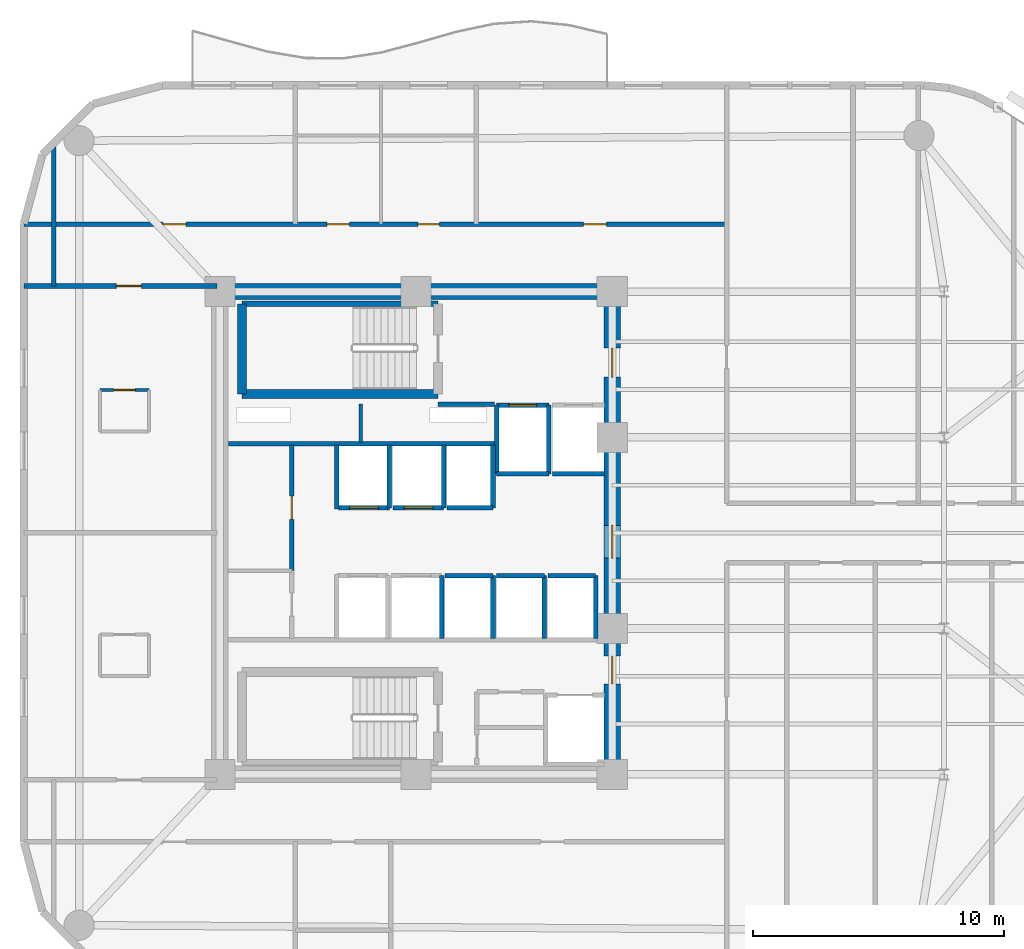
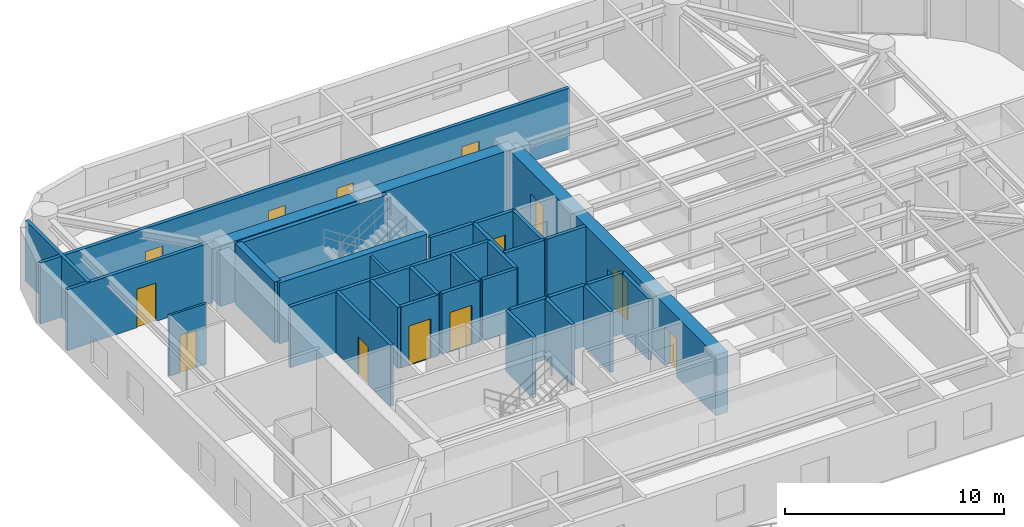
# One storey, part 9 of 13: 32 walls, 13 doors, 13 openings.
"""IFC4 building model written with IfcOpenShell, lengths in metres."""

from ifc_helpers import new_model, si_unit, direction, frame, frame_2d, origin, place, context, subcontext, project, spatial, rectangle, extrude, material, layer, layer_set, type_object, element, fill, save


model = new_model("IFC4")

# Units and contexts
model_context = context("Model", 3, precision=1e-05, world=origin(), true_north=direction((0.0, 1.0)))
body_context = subcontext(model_context, "Body", "Model", "MODEL_VIEW")
ifc_project = project(units=[si_unit("LENGTHUNIT", "METRE"), si_unit("AREAUNIT", "SQUARE_METRE"), si_unit("VOLUMEUNIT", "CUBIC_METRE"), si_unit("PLANEANGLEUNIT", "RADIAN"), si_unit("MASSUNIT", "GRAM", prefix="KILO")], contexts=[model_context])

# Site, building, storey
site_placement = place(None, origin())
site = spatial("IfcSite", under=ifc_project, at=site_placement, CompositionType="ELEMENT")
building_placement = place(site_placement, origin())
building = spatial("IfcBuilding", under=site, at=building_placement, Name="An Khanh Terracotta Commons", CompositionType="ELEMENT")
storey_placement = place(building_placement, frame((0.0, 0.0, 183.39990234375)))
storey = spatial("IfcBuildingStorey", under=building, at=storey_placement, Name="L48", CompositionType="ELEMENT", Elevation=183.39990234375)

# Wall
ifc_material_1 = material(Name="Concrete C60/75", Category="concrete")
ifc_layer_1 = layer(ifc_material_1, 0.64990234375, Name="Concrete C60/75")
ifc_layer_set_1 = layer_set([ifc_layer_1], Name="Concrete C60/75")
wall_type_1 = type_object("IfcWallType", Name="WALL-CORE-650", PredefinedType="SHEAR", material=ifc_layer_set_1)
wall_1_placement = place(storey_placement, frame((21.60009765625, 33.60009765625, 0.0), z_axis=(0.0, 0.0, 1.0), x_axis=(1.0, 0.0, 0.0)))
element("IfcWall", 1, at=wall_1_placement, inside=storey, type_object=wall_type_1, Name="L48 Core Wall CWALL-L48-N", PredefinedType="SHEAR", context=body_context, shape_type="SweptSolid", body=[
    extrude(rectangle(XDim=15.599853515625, YDim=0.64990234375, at=frame_2d((7.7998046875, 0.0))), origin(), (0.0, 0.0, 1.0), 3.400146484375),
])

# Wall, openings, doors
wall_2_placement = place(storey_placement, frame((37.199951171875, 14.39990234375, 0.0), z_axis=(0.0, 0.0, 1.0), x_axis=(0.0, 1.0, 0.0)))
wall_2 = element("IfcWall", 2, at=wall_2_placement, inside=storey, type_object=wall_type_1, Name="L48 Core Wall CWALL-L48-E", PredefinedType="SHEAR", context=body_context, shape_type="SweptSolid", body=[
    extrude(rectangle(XDim=19.2001953125, YDim=0.64990234375, at=frame_2d((9.60009765625, 0.0))), origin(), (0.0, 0.0, 1.0), 3.400146484375),
])
opening_1_placement = place(wall_2_placement, frame((15.800048828125, 0.0, 0.0)))
opening_1 = element("IfcOpeningElement", 3, at=opening_1_placement, cuts=wall_2, Name="Opening D-FFL", PredefinedType="OPENING", context=body_context, shape_type="SweptSolid", body=[
    extrude(rectangle(XDim=1.14990234375, YDim=2.14990234375, at=frame_2d((0.574951171875, 1.074951171875))), frame((0.0, 0.3349609375, 0.0), z_axis=(0.0, -1.0, 0.0), x_axis=(1.0, 0.0, 0.0)), (0.0, 0.0, 1.0), 0.669921875),
])
opening_2_placement = place(wall_2_placement, frame((3.60009765625, 0.0, 0.0)))
opening_2 = element("IfcOpeningElement", 4, at=opening_2_placement, cuts=wall_2, Name="Opening D-ST", PredefinedType="OPENING", context=body_context, shape_type="SweptSolid", body=[
    extrude(rectangle(XDim=1.10009765625, YDim=2.14990234375, at=frame_2d((0.550048828125, 1.074951171875))), frame((0.0, 0.3349609375, 0.0), z_axis=(0.0, -1.0, 0.0), x_axis=(1.0, 0.0, 0.0)), (0.0, 0.0, 1.0), 0.669921875),
])
opening_3_placement = place(wall_2_placement, frame((8.60009765625, 0.0, 0.0)))
opening_3 = element("IfcOpeningElement", 5, at=opening_3_placement, cuts=wall_2, Name="Opening D-COR", PredefinedType="OPENING", context=body_context, shape_type="SweptSolid", body=[
    extrude(rectangle(XDim=1.300048828125, YDim=2.199951171875, at=frame_2d((0.64990234375, 1.10009765625))), frame((0.0, 0.3349609375, 0.0), z_axis=(0.0, -1.0, 0.0), x_axis=(1.0, 0.0, 0.0)), (0.0, 0.0, 1.0), 0.669921875),
])
ifc_material_2 = material(Name="Fire-Rated Glazed Steel Double Door", Category="steel")
door_type_1 = type_object("IfcDoorType", Name="DOOR-CORR-1300", OperationType="NOTDEFINED", PredefinedType="DOOR", material=ifc_material_2)
door_1_placement = place(opening_3_placement, origin())
door_1 = element("IfcDoor", 6, at=door_1_placement, inside=storey, type_object=door_type_1, Name="L48 Passenger Lift Lobby Double Door", OperationType="DOUBLE_DOOR_SINGLE_SWING", OverallHeight=2.199951171875, OverallWidth=1.300048828125, PredefinedType="DOOR", context=body_context, shape_type="SweptSolid", body=[
    extrude(rectangle(XDim=1.300048828125, YDim=2.199951171875, at=frame_2d((0.64990234375, 1.10009765625))), frame((0.0, 0.02490234375, 0.0), z_axis=(0.0, -1.0, 0.0), x_axis=(1.0, 0.0, 0.0)), (0.0, 0.0, 1.0), 0.050048828125),
])
fill(opening_3, door_1)
ifc_material_3 = material(Name="Fire-Rated Steel Leaf and Vision Panel", Category="steel")
door_type_2 = type_object("IfcDoorType", Name="DOOR-FFL-1150", OperationType="NOTDEFINED", PredefinedType="DOOR", material=ifc_material_3)
door_2_placement = place(opening_1_placement, origin())
door_2 = element("IfcDoor", 7, at=door_2_placement, inside=storey, type_object=door_type_2, Name="L48 Firefighting Lift Lobby Fire Door", OperationType="SINGLE_SWING_LEFT", OverallHeight=2.14990234375, OverallWidth=1.14990234375, PredefinedType="DOOR", context=body_context, shape_type="SweptSolid", body=[
    extrude(rectangle(XDim=1.14990234375, YDim=2.14990234375, at=frame_2d((0.574951171875, 1.074951171875))), frame((0.0, 0.02490234375, 0.0), z_axis=(0.0, -1.0, 0.0), x_axis=(1.0, 0.0, 0.0)), (0.0, 0.0, 1.0), 0.050048828125),
])
fill(opening_1, door_2)
ifc_material_4 = material(Name="Fire-Rated Steel Leaf and Frame", Category="steel")
door_type_3 = type_object("IfcDoorType", Name="DOOR-STAIR-1100", OperationType="NOTDEFINED", PredefinedType="DOOR", material=ifc_material_4)
door_3_placement = place(opening_2_placement, origin())
door_3 = element("IfcDoor", 8, at=door_3_placement, inside=storey, type_object=door_type_3, Name="L48 South Stair Lobby Fire Door", OperationType="SINGLE_SWING_RIGHT", OverallHeight=2.14990234375, OverallWidth=1.10009765625, PredefinedType="DOOR", context=body_context, shape_type="SweptSolid", body=[
    extrude(rectangle(XDim=1.10009765625, YDim=2.14990234375, at=frame_2d((0.550048828125, 1.074951171875))), frame((0.0, 0.02490234375, 0.0), z_axis=(0.0, -1.0, 0.0), x_axis=(1.0, 0.0, 0.0)), (0.0, 0.0, 1.0), 0.050048828125),
])
fill(opening_2, door_3)

# Walls
ifc_material_5 = material(Name="Fire-Rated Gypsum Board on Steel Stud", Category="steel")
ifc_layer_2 = layer(ifc_material_5, 0.179931640625, Name="Fire-Rated Gypsum Board on Steel Stud")
ifc_layer_set_2 = layer_set([ifc_layer_2], Name="Fire-Rated Gypsum Board on Steel Stud")
wall_type_2 = type_object("IfcWallType", Name="WALL-CORR-180", PredefinedType="PARTITIONING", material=ifc_layer_set_2)
wall_3_placement = place(storey_placement, frame((30.27001953125, 29.1201171875, 0.0), z_axis=(0.0, 0.0, 1.0), x_axis=(1.0, 0.0, 0.0)))
element("IfcWall", 9, at=wall_3_placement, inside=storey, type_object=wall_type_2, Name="L48 Core Wall FFLW-L48-S", PredefinedType="PARTITIONING", context=body_context, shape_type="SweptSolid", body=[
    extrude(rectangle(XDim=2.239990234375, YDim=0.179931640625, at=frame_2d((1.1201171875, 0.0))), origin(), (0.0, 0.0, 1.0), 3.400146484375),
])
wall_4_placement = place(storey_placement, frame((21.949951171875, 27.5400390625, 0.0), z_axis=(0.0, 0.0, 1.0), x_axis=(1.0, 0.0, 0.0)))
element("IfcWall", 10, at=wall_4_placement, inside=storey, type_object=wall_type_2, Name="L48 Core Wall RSRW-L48-S", PredefinedType="PARTITIONING", context=body_context, shape_type="SweptSolid", body=[
    extrude(rectangle(XDim=10.56005859375, YDim=0.179931640625, at=frame_2d((5.280029296875, 0.0))), origin(), (0.0, 0.0, 1.0), 3.400146484375),
])

# Wall, opening, door
wall_5_placement = place(storey_placement, frame((32.60009765625, 29.080078125, 0.0), z_axis=(0.0, 0.0, 1.0), x_axis=(1.0, 0.0, 0.0)))
wall_5 = element("IfcWall", 11, at=wall_5_placement, inside=storey, type_object=wall_type_2, Name="L48 Core Wall LSH-L48-FFL-01-N", PredefinedType="PARTITIONING", context=body_context, shape_type="SweptSolid", body=[
    extrude(rectangle(XDim=2.079833984375, YDim=0.179931640625, at=frame_2d((1.0400390625, 0.0))), origin(), (0.0, 0.0, 1.0), 3.400146484375),
])
opening_4_placement = place(wall_5_placement, frame((0.489990234375, 0.0, 0.0)))
opening_4 = element("IfcOpeningElement", 12, at=opening_4_placement, cuts=wall_5, Name="Opening LD-FFL-01-L48", PredefinedType="OPENING", context=body_context, shape_type="SweptSolid", body=[
    extrude(rectangle(XDim=1.10009765625, YDim=2.199951171875, at=frame_2d((0.550048828125, 1.10009765625))), frame((0.0, 0.099853515625, 0.0), z_axis=(0.0, -1.0, 0.0), x_axis=(1.0, 0.0, 0.0)), (0.0, 0.0, 1.0), 0.199951171875),
])
ifc_material_6 = material(Name="Brushed Stainless Steel Fire Landing Door", Category="steel")
door_type_4 = type_object("IfcDoorType", Name="DOOR-LD-FFL-1100", OperationType="NOTDEFINED", PredefinedType="DOOR", material=ifc_material_6)
door_4_placement = place(opening_4_placement, origin())
door_4 = element("IfcDoor", 13, at=door_4_placement, inside=storey, type_object=door_type_4, Name="L48 Lift FFL-01 Sliding Landing Door", OperationType="DOUBLE_DOOR_SLIDING", OverallHeight=2.199951171875, OverallWidth=1.10009765625, PredefinedType="DOOR", context=body_context, shape_type="SweptSolid", body=[
    extrude(rectangle(XDim=1.10009765625, YDim=2.199951171875, at=frame_2d((0.550048828125, 1.10009765625))), frame((0.0, 0.02490234375, 0.0), z_axis=(0.0, -1.0, 0.0), x_axis=(1.0, 0.0, 0.0)), (0.0, 0.0, 1.0), 0.050048828125),
])
fill(opening_4, door_4)

# Walls
wall_6_placement = place(storey_placement, frame((34.679931640625, 26.35009765625, 0.0), z_axis=(0.0, 0.0, 1.0), x_axis=(-1.0, 0.0, 0.0)))
element("IfcWall", 14, at=wall_6_placement, inside=storey, type_object=wall_type_2, Name="L48 Core Wall LSH-L48-FFL-01-S", PredefinedType="PARTITIONING", context=body_context, shape_type="SweptSolid", body=[
    extrude(rectangle(XDim=2.079833984375, YDim=0.179931640625, at=frame_2d((1.0400390625, 0.0))), origin(), (0.0, 0.0, 1.0), 3.400146484375),
])
for number, where, z_axis, x_axis, name in (
    (15, (34.679931640625, 26.35009765625, 0.0), (0.0, 0.0, 1.0), (0.0, 1.0, 0.0), "L48 Core Wall LSH-L48-FFL-01-E"),
    (16, (32.60009765625, 29.080078125, 0.0), (0.0, 0.0, 1.0), (0.0, -1.0, 0.0), "L48 Core Wall LSH-L48-FFL-01-W"),
):
    element("IfcWall", number, at=place(storey_placement, frame(where, z_axis=z_axis, x_axis=x_axis)), inside=storey, type_object=wall_type_2, Name=name, PredefinedType="PARTITIONING", context=body_context, shape_type="SweptSolid", body=[
        extrude(rectangle(XDim=2.72998046875, YDim=0.179931640625, at=frame_2d((1.364990234375, 0.0))), origin(), (0.0, 0.0, 1.0), 3.400146484375),
    ])
wall_7_placement = place(storey_placement, frame((36.89990234375, 26.35009765625, 0.0), z_axis=(0.0, 0.0, 1.0), x_axis=(-1.0, 0.0, 0.0)))
element("IfcWall", 17, at=wall_7_placement, inside=storey, type_object=wall_type_2, Name="L48 Core Wall LSH-L48-FFL-02-S", PredefinedType="PARTITIONING", context=body_context, shape_type="SweptSolid", body=[
    extrude(rectangle(XDim=2.079833984375, YDim=0.179931640625, at=frame_2d((1.0400390625, 0.0))), origin(), (0.0, 0.0, 1.0), 3.400146484375),
])

# Wall, opening, door
wall_8_placement = place(storey_placement, frame((28.340087890625, 25.0, 0.0), z_axis=(0.0, 0.0, 1.0), x_axis=(-1.0, 0.0, 0.0)))
wall_8 = element("IfcWall", 18, at=wall_8_placement, inside=storey, type_object=wall_type_2, Name="L48 Core Wall LSH-L48-PL-M1-S", PredefinedType="PARTITIONING", context=body_context, shape_type="SweptSolid", body=[
    extrude(rectangle(XDim=2.02001953125, YDim=0.179931640625, at=frame_2d((1.010009765625, 0.0))), origin(), (0.0, 0.0, 1.0), 3.400146484375),
])
opening_5_placement = place(wall_8_placement, frame((0.43505859375, 0.0, 0.0)))
opening_5 = element("IfcOpeningElement", 19, at=opening_5_placement, cuts=wall_8, Name="Opening LD-PL-M1-L48", PredefinedType="OPENING", context=body_context, shape_type="SweptSolid", body=[
    extrude(rectangle(XDim=1.14990234375, YDim=2.199951171875, at=frame_2d((0.574951171875, 1.10009765625))), frame((0.0, 0.099853515625, 0.0), z_axis=(0.0, -1.0, 0.0), x_axis=(1.0, 0.0, 0.0)), (0.0, 0.0, 1.0), 0.199951171875),
])
ifc_material_7 = material(Name="Brushed Stainless Steel Passenger Landing Door", Category="steel")
door_type_5 = type_object("IfcDoorType", Name="DOOR-LD-PAX-1150", OperationType="NOTDEFINED", PredefinedType="DOOR", material=ifc_material_7)
door_5_placement = place(opening_5_placement, origin())
door_5 = element("IfcDoor", 20, at=door_5_placement, inside=storey, type_object=door_type_5, Name="L48 Lift PL-M1 Sliding Landing Door", OperationType="DOUBLE_DOOR_SLIDING", OverallHeight=2.199951171875, OverallWidth=1.14990234375, PredefinedType="DOOR", context=body_context, shape_type="SweptSolid", body=[
    extrude(rectangle(XDim=1.14990234375, YDim=2.199951171875, at=frame_2d((0.574951171875, 1.10009765625))), frame((0.0, 0.02490234375, 0.0), z_axis=(0.0, -1.0, 0.0), x_axis=(1.0, 0.0, 0.0)), (0.0, 0.0, 1.0), 0.050048828125),
])
fill(opening_5, door_5)

# Wall
wall_9_placement = place(storey_placement, frame((28.340087890625, 25.0, 0.0), z_axis=(0.0, 0.0, 1.0), x_axis=(0.0, 1.0, 0.0)))
element("IfcWall", 21, at=wall_9_placement, inside=storey, type_object=wall_type_2, Name="L48 Core Wall LSH-L48-PL-M1-E", PredefinedType="PARTITIONING", context=body_context, shape_type="SweptSolid", body=[
    extrude(rectangle(XDim=2.5, YDim=0.179931640625, at=frame_2d((1.25, 0.0))), origin(), (0.0, 0.0, 1.0), 3.400146484375),
])

# Wall, opening, door
wall_10_placement = place(storey_placement, frame((30.5, 25.0, 0.0), z_axis=(0.0, 0.0, 1.0), x_axis=(-1.0, 0.0, 0.0)))
wall_10 = element("IfcWall", 22, at=wall_10_placement, inside=storey, type_object=wall_type_2, Name="L48 Core Wall LSH-L48-PL-M2-S", PredefinedType="PARTITIONING", context=body_context, shape_type="SweptSolid", body=[
    extrude(rectangle(XDim=2.02001953125, YDim=0.179931640625, at=frame_2d((1.010009765625, 0.0))), origin(), (0.0, 0.0, 1.0), 3.400146484375),
])
opening_6_placement = place(wall_10_placement, frame((0.43505859375, 0.0, 0.0)))
opening_6 = element("IfcOpeningElement", 23, at=opening_6_placement, cuts=wall_10, Name="Opening LD-PL-M2-L48", PredefinedType="OPENING", context=body_context, shape_type="SweptSolid", body=[
    extrude(rectangle(XDim=1.14990234375, YDim=2.199951171875, at=frame_2d((0.574951171875, 1.10009765625))), frame((0.0, 0.099853515625, 0.0), z_axis=(0.0, -1.0, 0.0), x_axis=(1.0, 0.0, 0.0)), (0.0, 0.0, 1.0), 0.199951171875),
])
door_6_placement = place(opening_6_placement, origin())
door_6 = element("IfcDoor", 24, at=door_6_placement, inside=storey, type_object=door_type_5, Name="L48 Lift PL-M2 Sliding Landing Door", OperationType="DOUBLE_DOOR_SLIDING", OverallHeight=2.199951171875, OverallWidth=1.14990234375, PredefinedType="DOOR", context=body_context, shape_type="SweptSolid", body=[
    extrude(rectangle(XDim=1.14990234375, YDim=2.199951171875, at=frame_2d((0.574951171875, 1.10009765625))), frame((0.0, 0.02490234375, 0.0), z_axis=(0.0, -1.0, 0.0), x_axis=(1.0, 0.0, 0.0)), (0.0, 0.0, 1.0), 0.050048828125),
])
fill(opening_6, door_6)

# Walls
for number, where, z_axis, x_axis, name in (
    (25, (30.5, 25.0, 0.0), (0.0, 0.0, 1.0), (0.0, 1.0, 0.0), "L48 Core Wall LSH-L48-PL-M2-E"),
    (26, (30.419921875, 19.800048828125, 0.0), (0.0, 0.0, 1.0), (0.0, 1.0, 0.0), "L48 Core Wall LSH-L48-PL-M4-E"),
):
    element("IfcWall", number, at=place(storey_placement, frame(where, z_axis=z_axis, x_axis=x_axis)), inside=storey, type_object=wall_type_2, Name=name, PredefinedType="PARTITIONING", context=body_context, shape_type="SweptSolid", body=[
        extrude(rectangle(XDim=2.5, YDim=0.179931640625, at=frame_2d((1.25, 0.0))), origin(), (0.0, 0.0, 1.0), 3.400146484375),
    ])
wall_11_placement = place(storey_placement, frame((32.4599609375, 25.0, 0.0), z_axis=(0.0, 0.0, 1.0), x_axis=(-1.0, 0.0, 0.0)))
element("IfcWall", 27, at=wall_11_placement, inside=storey, type_object=wall_type_2, Name="L48 Core Wall LSH-L48-PL-H1-S", PredefinedType="PARTITIONING", context=body_context, shape_type="SweptSolid", body=[
    extrude(rectangle(XDim=1.820068359375, YDim=0.179931640625, at=frame_2d((0.91015625, 0.0))), origin(), (0.0, 0.0, 1.0), 3.400146484375),
])
wall_12_placement = place(storey_placement, frame((32.4599609375, 25.0, 0.0), z_axis=(0.0, 0.0, 1.0), x_axis=(0.0, 1.0, 0.0)))
element("IfcWall", 28, at=wall_12_placement, inside=storey, type_object=wall_type_2, Name="L48 Core Wall LSH-L48-PL-H1-E", PredefinedType="PARTITIONING", context=body_context, shape_type="SweptSolid", body=[
    extrude(rectangle(XDim=2.5, YDim=0.179931640625, at=frame_2d((1.25, 0.0))), origin(), (0.0, 0.0, 1.0), 3.400146484375),
])
wall_13_placement = place(storey_placement, frame((30.56005859375, 22.300048828125, 0.0), z_axis=(0.0, 0.0, 1.0), x_axis=(1.0, 0.0, 0.0)))
element("IfcWall", 29, at=wall_13_placement, inside=storey, type_object=wall_type_2, Name="L48 Core Wall LSH-L48-PL-H2-N", PredefinedType="PARTITIONING", context=body_context, shape_type="SweptSolid", body=[
    extrude(rectangle(XDim=1.89990234375, YDim=0.179931640625, at=frame_2d((0.949951171875, 0.0))), origin(), (0.0, 0.0, 1.0), 3.400146484375),
])
wall_14_placement = place(storey_placement, frame((32.4599609375, 19.800048828125, 0.0), z_axis=(0.0, 0.0, 1.0), x_axis=(0.0, 1.0, 0.0)))
element("IfcWall", 30, at=wall_14_placement, inside=storey, type_object=wall_type_2, Name="L48 Core Wall LSH-L48-PL-H2-E", PredefinedType="PARTITIONING", context=body_context, shape_type="SweptSolid", body=[
    extrude(rectangle(XDim=2.5, YDim=0.179931640625, at=frame_2d((1.25, 0.0))), origin(), (0.0, 0.0, 1.0), 3.400146484375),
])
wall_15_placement = place(storey_placement, frame((32.60009765625, 22.300048828125, 0.0), z_axis=(0.0, 0.0, 1.0), x_axis=(1.0, 0.0, 0.0)))
element("IfcWall", 31, at=wall_15_placement, inside=storey, type_object=wall_type_2, Name="L48 Core Wall LSH-L48-PL-H3-N", PredefinedType="PARTITIONING", context=body_context, shape_type="SweptSolid", body=[
    extrude(rectangle(XDim=1.89990234375, YDim=0.179931640625, at=frame_2d((0.949951171875, 0.0))), origin(), (0.0, 0.0, 1.0), 3.400146484375),
])
wall_16_placement = place(storey_placement, frame((34.5, 19.800048828125, 0.0), z_axis=(0.0, 0.0, 1.0), x_axis=(0.0, 1.0, 0.0)))
element("IfcWall", 32, at=wall_16_placement, inside=storey, type_object=wall_type_2, Name="L48 Core Wall LSH-L48-PL-H3-E", PredefinedType="PARTITIONING", context=body_context, shape_type="SweptSolid", body=[
    extrude(rectangle(XDim=2.5, YDim=0.179931640625, at=frame_2d((1.25, 0.0))), origin(), (0.0, 0.0, 1.0), 3.400146484375),
])
wall_17_placement = place(storey_placement, frame((34.639892578125, 22.300048828125, 0.0), z_axis=(0.0, 0.0, 1.0), x_axis=(1.0, 0.0, 0.0)))
element("IfcWall", 33, at=wall_17_placement, inside=storey, type_object=wall_type_2, Name="L48 Core Wall LSH-L48-PL-H4-N", PredefinedType="PARTITIONING", context=body_context, shape_type="SweptSolid", body=[
    extrude(rectangle(XDim=1.900146484375, YDim=0.179931640625, at=frame_2d((0.9501953125, 0.0))), origin(), (0.0, 0.0, 1.0), 3.400146484375),
])
wall_18_placement = place(storey_placement, frame((36.5400390625, 19.800048828125, 0.0), z_axis=(0.0, 0.0, 1.0), x_axis=(0.0, 1.0, 0.0)))
element("IfcWall", 34, at=wall_18_placement, inside=storey, type_object=wall_type_2, Name="L48 Core Wall LSH-L48-PL-H4-E", PredefinedType="PARTITIONING", context=body_context, shape_type="SweptSolid", body=[
    extrude(rectangle(XDim=2.5, YDim=0.179931640625, at=frame_2d((1.25, 0.0))), origin(), (0.0, 0.0, 1.0), 3.400146484375),
])

# Wall, opening, door
wall_19_placement = place(storey_placement, frame((24.4599609375, 22.5, 0.0), z_axis=(0.0, 0.0, 1.0), x_axis=(0.0, 1.0, 0.0)))
wall_19 = element("IfcWall", 35, at=wall_19_placement, inside=storey, type_object=wall_type_2, Name="L48 Core Wall RECW-L48-E1", PredefinedType="PARTITIONING", context=body_context, shape_type="SweptSolid", body=[
    extrude(rectangle(XDim=5.0, YDim=0.179931640625, at=frame_2d((2.5, 0.0))), origin(), (0.0, 0.0, 1.0), 3.400146484375),
])
opening_7_placement = place(wall_19_placement, frame((2.0400390625, 0.0, 0.0)))
opening_7 = element("IfcOpeningElement", 36, at=opening_7_placement, cuts=wall_19, Name="Opening D-RM", PredefinedType="OPENING", context=body_context, shape_type="SweptSolid", body=[
    extrude(rectangle(XDim=0.919921875, YDim=2.10009765625, at=frame_2d((0.4599609375, 1.050048828125))), frame((0.0, 0.099853515625, 0.0), z_axis=(0.0, -1.0, 0.0), x_axis=(1.0, 0.0, 0.0)), (0.0, 0.0, 1.0), 0.199951171875),
])
ifc_material_8 = material(Name="Engineered Hardwood Timber Leaf", Category="wood")
door_type_6 = type_object("IfcDoorType", Name="DOOR-INT-920", OperationType="NOTDEFINED", PredefinedType="DOOR", material=ifc_material_8)
door_7_placement = place(opening_7_placement, origin())
door_7 = element("IfcDoor", 37, at=door_7_placement, inside=storey, type_object=door_type_6, Name="L48 Resident Study Pod Door", OperationType="SINGLE_SWING_LEFT", OverallHeight=2.10009765625, OverallWidth=0.919921875, PredefinedType="DOOR", context=body_context, shape_type="SweptSolid", body=[
    extrude(rectangle(XDim=0.919921875, YDim=2.10009765625, at=frame_2d((0.4599609375, 1.050048828125))), frame((0.0, 0.02490234375, 0.0), z_axis=(0.0, -1.0, 0.0), x_axis=(1.0, 0.0, 0.0)), (0.0, 0.0, 1.0), 0.050048828125),
])
fill(opening_7, door_7)

# Wall
wall_20_placement = place(storey_placement, frame((26.25, 24.949951171875, 0.0), z_axis=(0.0, 0.0, 1.0), x_axis=(0.0, 1.0, 0.0)))
element("IfcWall", 38, at=wall_20_placement, inside=storey, type_object=wall_type_2, Name="L48 Core Wall RECW-L48-BE1", PredefinedType="PARTITIONING", context=body_context, shape_type="SweptSolid", body=[
    extrude(rectangle(XDim=2.550048828125, YDim=0.179931640625, at=frame_2d((1.27490234375, 0.0))), origin(), (0.0, 0.0, 1.0), 3.400146484375),
])

# Wall, opening, door
wall_21_placement = place(storey_placement, frame((13.800048828125, 33.820068359375, 0.0), z_axis=(0.0, 0.0, 1.0), x_axis=(1.0, 0.0, 0.0)))
wall_21 = element("IfcWall", 39, at=wall_21_placement, inside=storey, type_object=wall_type_2, Name="L48 Interior Partition IW-L48-E007", PredefinedType="PARTITIONING", context=body_context, shape_type="SweptSolid", body=[
    extrude(rectangle(XDim=7.679931640625, YDim=0.179931640625, at=frame_2d((3.83984375, 0.0))), origin(), (0.0, 0.0, 1.0), 3.400146484375),
])
opening_8_placement = place(wall_21_placement, frame((3.679931640625, 0.0, 0.0)))
opening_8 = element("IfcOpeningElement", 40, at=opening_8_placement, cuts=wall_21, Name="Opening D-UN", PredefinedType="OPENING", context=body_context, shape_type="SweptSolid", body=[
    extrude(rectangle(XDim=1.0, YDim=2.14990234375, at=frame_2d((0.5, 1.074951171875))), frame((0.0, 0.099853515625, 0.0), z_axis=(0.0, -1.0, 0.0), x_axis=(1.0, 0.0, 0.0)), (0.0, 0.0, 1.0), 0.199951171875),
])
ifc_material_9 = material(Name="Solid-Core Hardwood Acoustic Fire Door", Category="wood")
door_type_7 = type_object("IfcDoorType", Name="DOOR-UNIT-1000", OperationType="NOTDEFINED", PredefinedType="DOOR", material=ifc_material_9)
door_8_placement = place(opening_8_placement, origin())
door_8 = element("IfcDoor", 41, at=door_8_placement, inside=storey, type_object=door_type_7, Name="L48 WW2 Kitchenette and Studio Apartment Door", OperationType="SINGLE_SWING_LEFT", OverallHeight=2.14990234375, OverallWidth=1.0, PredefinedType="DOOR", context=body_context, shape_type="SweptSolid", body=[
    extrude(rectangle(XDim=1.0, YDim=2.14990234375, at=frame_2d((0.5, 1.074951171875))), frame((0.0, 0.02490234375, 0.0), z_axis=(0.0, -1.0, 0.0), x_axis=(1.0, 0.0, 0.0)), (0.0, 0.0, 1.0), 0.050048828125),
])
fill(opening_8, door_8)

# Wall, openings, doors
wall_22_placement = place(storey_placement, frame((13.800048828125, 36.280029296875, 0.0), z_axis=(0.0, 0.0, 1.0), x_axis=(1.0, 0.0, 0.0)))
wall_22 = element("IfcWall", 42, at=wall_22_placement, inside=storey, type_object=wall_type_2, Name="L48 Interior Partition IW-L48-E008", PredefinedType="PARTITIONING", context=body_context, shape_type="SweptSolid", body=[
    extrude(rectangle(XDim=27.949951171875, YDim=0.179931640625, at=frame_2d((13.97509765625, 0.0))), origin(), (0.0, 0.0, 1.0), 3.400146484375),
])
opening_9_placement = place(wall_22_placement, frame((12.050048828125, 0.0, 0.0)))
opening_9 = element("IfcOpeningElement", 43, at=opening_9_placement, cuts=wall_22, Name="Opening D-WC", PredefinedType="OPENING", context=body_context, shape_type="SweptSolid", body=[
    extrude(rectangle(XDim=0.89990234375, YDim=2.10009765625, at=frame_2d((0.449951171875, 1.050048828125))), frame((0.0, 0.099853515625, 0.0), z_axis=(0.0, -1.0, 0.0), x_axis=(1.0, 0.0, 0.0)), (0.0, 0.0, 1.0), 0.199951171875),
])
opening_10_placement = place(wall_22_placement, frame((15.669921875, 0.0, 0.0)))
opening_10 = element("IfcOpeningElement", 44, at=opening_10_placement, cuts=wall_22, Name="Opening D-ENS", PredefinedType="OPENING", context=body_context, shape_type="SweptSolid", body=[
    extrude(rectangle(XDim=0.860107421875, YDim=2.10009765625, at=frame_2d((0.43017578125, 1.050048828125))), frame((0.0, 0.099853515625, 0.0), z_axis=(0.0, -1.0, 0.0), x_axis=(1.0, 0.0, 0.0)), (0.0, 0.0, 1.0), 0.199951171875),
])
opening_11_placement = place(wall_22_placement, frame((5.5400390625, 0.0, 0.0)))
opening_11 = element("IfcOpeningElement", 45, at=opening_11_placement, cuts=wall_22, Name="Opening D-RM", PredefinedType="OPENING", context=body_context, shape_type="SweptSolid", body=[
    extrude(rectangle(XDim=0.919921875, YDim=2.10009765625, at=frame_2d((0.4599609375, 1.050048828125))), frame((0.0, 0.099853515625, 0.0), z_axis=(0.0, -1.0, 0.0), x_axis=(1.0, 0.0, 0.0)), (0.0, 0.0, 1.0), 0.199951171875),
])
opening_12_placement = place(wall_22_placement, frame((22.2548828125, 0.0, 0.0)))
opening_12 = element("IfcOpeningElement", 46, at=opening_12_placement, cuts=wall_22, Name="Opening D-RM", PredefinedType="OPENING", context=body_context, shape_type="SweptSolid", body=[
    extrude(rectangle(XDim=0.919921875, YDim=2.10009765625, at=frame_2d((0.4599609375, 1.050048828125))), frame((0.0, 0.099853515625, 0.0), z_axis=(0.0, -1.0, 0.0), x_axis=(1.0, 0.0, 0.0)), (0.0, 0.0, 1.0), 0.199951171875),
])
ifc_material_10 = material(Name="Moisture-Resistant Hardwood Timber Leaf", Category="wood")
door_type_8 = type_object("IfcDoorType", Name="DOOR-BATH-860", OperationType="NOTDEFINED", PredefinedType="DOOR", material=ifc_material_10)
door_9_placement = place(opening_10_placement, origin())
door_9 = element("IfcDoor", 47, at=door_9_placement, inside=storey, type_object=door_type_8, Name="L48 SHW Resident Shared Shower and Washroom Door", OperationType="SINGLE_SWING_RIGHT", OverallHeight=2.10009765625, OverallWidth=0.860107421875, PredefinedType="DOOR", context=body_context, shape_type="SweptSolid", body=[
    extrude(rectangle(XDim=0.860107421875, YDim=2.10009765625, at=frame_2d((0.43017578125, 1.050048828125))), frame((0.0, 0.02490234375, 0.0), z_axis=(0.0, -1.0, 0.0), x_axis=(1.0, 0.0, 0.0)), (0.0, 0.0, 1.0), 0.050048828125),
])
fill(opening_10, door_9)
door_10_placement = place(opening_11_placement, origin())
door_10 = element("IfcDoor", 48, at=door_10_placement, inside=storey, type_object=door_type_6, Name="L48 NW1 Communal Kitchen and Dining Door", OperationType="SINGLE_SWING_RIGHT", OverallHeight=2.10009765625, OverallWidth=0.919921875, PredefinedType="DOOR", context=body_context, shape_type="SweptSolid", body=[
    extrude(rectangle(XDim=0.919921875, YDim=2.10009765625, at=frame_2d((0.4599609375, 1.050048828125))), frame((0.0, 0.02490234375, 0.0), z_axis=(0.0, -1.0, 0.0), x_axis=(1.0, 0.0, 0.0)), (0.0, 0.0, 1.0), 0.050048828125),
])
fill(opening_11, door_10)
door_11_placement = place(opening_12_placement, origin())
door_11 = element("IfcDoor", 49, at=door_11_placement, inside=storey, type_object=door_type_6, Name="L48 NWE Communal Kitchen and Dining Door", OperationType="SINGLE_SWING_LEFT", OverallHeight=2.10009765625, OverallWidth=0.919921875, PredefinedType="DOOR", context=body_context, shape_type="SweptSolid", body=[
    extrude(rectangle(XDim=0.919921875, YDim=2.10009765625, at=frame_2d((0.4599609375, 1.050048828125))), frame((0.0, 0.02490234375, 0.0), z_axis=(0.0, -1.0, 0.0), x_axis=(1.0, 0.0, 0.0)), (0.0, 0.0, 1.0), 0.050048828125),
])
fill(opening_12, door_11)
ifc_material_11 = material(Name="Laminate Moisture-Resistant Timber Leaf", Category="wood")
door_type_9 = type_object("IfcDoorType", Name="DOOR-WC-900", OperationType="NOTDEFINED", PredefinedType="DOOR", material=ifc_material_11)
door_12_placement = place(opening_9_placement, origin())
door_12 = element("IfcDoor", 50, at=door_12_placement, inside=storey, type_object=door_type_9, Name="L48 AWC Accessible WC Door", OperationType="SINGLE_SWING_LEFT", OverallHeight=2.10009765625, OverallWidth=0.89990234375, PredefinedType="DOOR", context=body_context, shape_type="SweptSolid", body=[
    extrude(rectangle(XDim=0.89990234375, YDim=2.10009765625, at=frame_2d((0.449951171875, 1.050048828125))), frame((0.0, 0.02490234375, 0.0), z_axis=(0.0, -1.0, 0.0), x_axis=(1.0, 0.0, 0.0)), (0.0, 0.0, 1.0), 0.050048828125),
])
fill(opening_9, door_12)

# Walls
wall_23_placement = place(storey_placement, frame((15.0, 33.820068359375, 0.0), z_axis=(0.0, 0.0, 1.0), x_axis=(0.0, 1.0, 0.0)))
element("IfcWall", 51, at=wall_23_placement, inside=storey, type_object=wall_type_2, Name="L48 Interior Partition IW-L48-E011", PredefinedType="PARTITIONING", context=body_context, shape_type="SweptSolid", body=[
    extrude(rectangle(XDim=5.69287109375, YDim=0.179931640625, at=frame_2d((2.846435546875, 0.0))), origin(), (0.0, 0.0, 1.0), 3.400146484375),
])
ifc_material_12 = material(Name="Acoustic Gypsum Board Partition")
ifc_layer_3 = layer(ifc_material_12, 0.14990234375, Name="Acoustic Gypsum Board Partition")
ifc_layer_set_3 = layer_set([ifc_layer_3], Name="Acoustic Gypsum Board Partition")
wall_type_3 = type_object("IfcWallType", Name="WALL-PART-150", PredefinedType="PARTITIONING", material=ifc_layer_set_3)
wall_24_placement = place(storey_placement, frame((27.199951171875, 27.60009765625, 0.0), z_axis=(0.0, 0.0, 1.0), x_axis=(0.0, 1.0, 0.0)))
element("IfcWall", 52, at=wall_24_placement, inside=storey, type_object=wall_type_3, Name="L48 Core Wall RSRW-L48-D1", PredefinedType="PARTITIONING", context=body_context, shape_type="SweptSolid", body=[
    extrude(rectangle(XDim=1.52001953125, YDim=0.14990234375, at=frame_2d((0.760009765625, 0.0))), origin(), (0.0, 0.0, 1.0), 3.400146484375),
])
ifc_material_13 = material(Name="Acoustic Double-Stud Gypsum and Mineral Wool")
ifc_layer_4 = layer(ifc_material_13, 0.219970703125, Name="Acoustic Double-Stud Gypsum and Mineral Wool")
ifc_layer_set_4 = layer_set([ifc_layer_4], Name="Acoustic Double-Stud Gypsum and Mineral Wool")
wall_type_4 = type_object("IfcWallType", Name="WALL-PARTY-220", PredefinedType="PARTITIONING", material=ifc_layer_set_4)
wall_25_placement = place(storey_placement, frame((22.47998046875, 33.110107421875, 0.0), z_axis=(0.0, 0.0, 1.0), x_axis=(1.0, 0.0, 0.0)))
element("IfcWall", 53, at=wall_25_placement, inside=storey, type_object=wall_type_4, Name="L48 Core Wall STW-L48-N-N", PredefinedType="PARTITIONING", context=body_context, shape_type="SweptSolid", body=[
    extrude(rectangle(XDim=7.7900390625, YDim=0.219970703125, at=frame_2d((3.89501953125, 0.0))), origin(), (0.0, 0.0, 1.0), 3.400146484375),
])
ifc_material_14 = material(Name="Concrete C50/60", Category="concrete")
ifc_layer_5 = layer(ifc_material_14, 0.35009765625, Name="Concrete C50/60")
ifc_layer_set_5 = layer_set([ifc_layer_5], Name="Concrete C50/60")
wall_type_5 = type_object("IfcWallType", Name="WALL-SHAFT-350", PredefinedType="SOLIDWALL", material=ifc_layer_set_5)
wall_26_placement = place(storey_placement, frame((22.47998046875, 29.530029296875, 0.0), z_axis=(0.0, 0.0, 1.0), x_axis=(1.0, 0.0, 0.0)))
element("IfcWall", 54, at=wall_26_placement, inside=storey, type_object=wall_type_5, Name="L48 Core Wall STW-L48-N-S", PredefinedType="SOLIDWALL", context=body_context, shape_type="SweptSolid", body=[
    extrude(rectangle(XDim=7.7900390625, YDim=0.35009765625, at=frame_2d((3.89501953125, 0.0))), origin(), (0.0, 0.0, 1.0), 3.400146484375),
])
wall_27_placement = place(storey_placement, frame((22.47998046875, 29.530029296875, 0.0), z_axis=(0.0, 0.0, 1.0), x_axis=(0.0, 1.0, 0.0)))
element("IfcWall", 55, at=wall_27_placement, inside=storey, type_object=wall_type_5, Name="L48 Core Wall STW-L48-N-W", PredefinedType="SOLIDWALL", context=body_context, shape_type="SweptSolid", body=[
    extrude(rectangle(XDim=3.580078125, YDim=0.35009765625, at=frame_2d((1.7900390625, 0.0))), origin(), (0.0, 0.0, 1.0), 3.400146484375),
])

# Wall, opening, door
ifc_material_15 = material(Name="Moisture-Resistant Cement Board Partition")
ifc_layer_6 = layer(ifc_material_15, 0.1201171875, Name="Moisture-Resistant Cement Board Partition")
ifc_layer_set_6 = layer_set([ifc_layer_6], Name="Moisture-Resistant Cement Board Partition")
wall_type_6 = type_object("IfcWallType", Name="WALL-WET-120", PredefinedType="PARTITIONING", material=ifc_layer_set_6)
wall_28_placement = place(storey_placement, frame((16.824951171875, 29.68505859375, 0.0), z_axis=(0.0, 0.0, 1.0), x_axis=(1.0, 0.0, 0.0)))
wall_28 = element("IfcWall", 56, at=wall_28_placement, inside=storey, type_object=wall_type_6, Name="L48 Interior Partition IW-L48-WW2-BN", PredefinedType="PARTITIONING", context=body_context, shape_type="SweptSolid", body=[
    extrude(rectangle(XDim=1.949951171875, YDim=0.1201171875, at=frame_2d((0.97509765625, 0.0))), origin(), (0.0, 0.0, 1.0), 3.400146484375),
])
opening_13_placement = place(wall_28_placement, frame((0.544921875, 0.0, 0.0)))
opening_13 = element("IfcOpeningElement", 57, at=opening_13_placement, cuts=wall_28, Name="Opening D-ENS", PredefinedType="OPENING", context=body_context, shape_type="SweptSolid", body=[
    extrude(rectangle(XDim=0.860107421875, YDim=2.10009765625, at=frame_2d((0.43017578125, 1.050048828125))), frame((0.0, 0.070068359375, 0.0), z_axis=(0.0, -1.0, 0.0), x_axis=(1.0, 0.0, 0.0)), (0.0, 0.0, 1.0), 0.14013671875),
])
door_13_placement = place(opening_13_placement, origin())
door_13 = element("IfcDoor", 58, at=door_13_placement, inside=storey, type_object=door_type_8, Name="L48 Studio WW2 En-suite Door", OperationType="SINGLE_SWING_RIGHT", OverallHeight=2.10009765625, OverallWidth=0.860107421875, PredefinedType="DOOR", context=body_context, shape_type="SweptSolid", body=[
    extrude(rectangle(XDim=0.860107421875, YDim=2.10009765625, at=frame_2d((0.43017578125, 1.050048828125))), frame((0.0, 0.02490234375, 0.0), z_axis=(0.0, -1.0, 0.0), x_axis=(1.0, 0.0, 0.0)), (0.0, 0.0, 1.0), 0.050048828125),
])
fill(opening_13, door_13)

save(model, "model.ifc")
